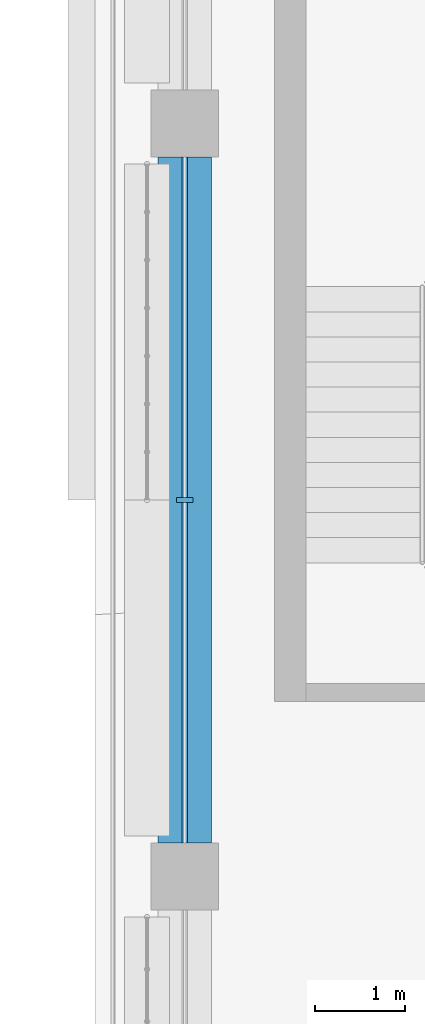
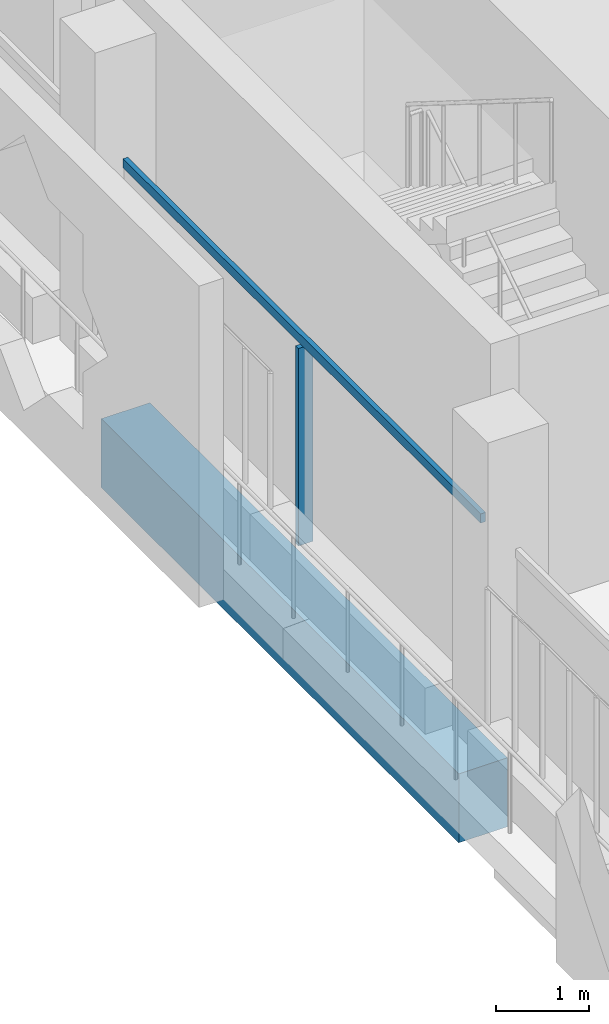
# One storey, part 4 of 21: 2 members, 1 beam, 1 element without a shape of its own.
"""IFC4 building model written with IfcOpenShell, lengths in metres."""

import ifcopenshell
import ifcopenshell.guid

model = None  # the IFC model being written
_history = None  # IfcOwnerHistory: only IFC2X3 demands one
_inside = {}  # id of a spatial element -> (the spatial element, [elements in it])
_under = {}  # id of a project, library or spatial element -> (it, [spatial elements below it])
_declared = {}  # id of a project -> (the project, [libraries it declares])
_typed = {}  # id of a type object -> (the type object, [elements of that type])
_made_of = {}  # id of a material, layer set ... -> (it, [elements and type objects made of it])


def new_model(schema):
    """Start an empty IFC model of exactly this schema.

    Asked for "IFC4X3", IfcOpenShell would pick the latest addendum, in which some entities
    have other attributes; the version numbers below select the first issue.
    IFC2X3 requires an IfcOwnerHistory on every rooted entity: one is made here for all.
    """
    global model, _history
    if schema == "IFC4X3":
        model = ifcopenshell.file(schema_version=(4, 3, 0, 0))
    else:
        model = ifcopenshell.file(schema=schema)
    _inside.clear()
    _under.clear()
    _declared.clear()
    _typed.clear()
    _made_of.clear()
    _history = None
    if model.schema == "IFC2X3":
        org = make("IfcOrganization", Name="unknown")
        user = make(
            "IfcPersonAndOrganization",
            ThePerson=make("IfcPerson", FamilyName="unknown"),
            TheOrganization=org,
        )
        app = make(
            "IfcApplication",
            ApplicationDeveloper=org,
            Version="unknown",
            ApplicationFullName="unknown",
            ApplicationIdentifier="unknown",
        )
        _history = make(
            "IfcOwnerHistory",
            OwningUser=user,
            OwningApplication=app,
            ChangeAction="ADDED",
            CreationDate=0,
        )
    return model


def make(cls, **values):
    """One entity of the class cls with the attributes given. An attribute that is None is left unset."""
    return model.create_entity(
        cls, **{name: value for name, value in values.items() if value is not None}
    )


def rooted(cls, **values):
    """An entity with a GlobalId (a new one), such as an element, a storey or a relation."""
    return make(cls, GlobalId=ifcopenshell.guid.new(), OwnerHistory=_history, **values)


def si_unit(unit_type, name, prefix=None):
    """IfcSIUnit, for example si_unit("LENGTHUNIT", "METRE", prefix="MILLI")."""
    return make("IfcSIUnit", UnitType=unit_type, Prefix=prefix, Name=name)


def assignment(units):
    """IfcUnitAssignment: the units of a project."""
    return None if units is None else make("IfcUnitAssignment", Units=units)


def point(xyz):
    """IfcCartesianPoint."""
    return None if xyz is None else make("IfcCartesianPoint", Coordinates=xyz)


def direction(xyz):
    """IfcDirection."""
    return None if xyz is None else make("IfcDirection", DirectionRatios=xyz)


def frame(location, z_axis=None, x_axis=None):
    """IfcAxis2Placement3D, a coordinate frame: its origin and axes. An axis left out is left unset."""
    return make(
        "IfcAxis2Placement3D",
        Location=point(location),
        Axis=direction(z_axis),
        RefDirection=direction(x_axis),
    )


def frame_2d(location, x_axis=None):
    """IfcAxis2Placement2D, a coordinate frame in the plane: its origin and x axis."""
    return make(
        "IfcAxis2Placement2D", Location=point(location), RefDirection=direction(x_axis)
    )


def origin():
    """The frame at (0, 0, 0) with its axes left unset."""
    return frame((0.0, 0.0, 0.0))


def origin_2d():
    """The frame at (0, 0) in the plane with its x axis left unset."""
    return frame_2d((0.0, 0.0))


def place(relative_to, where):
    """IfcLocalPlacement: puts the frame where relative to a parent placement (None: the world)."""
    return make(
        "IfcLocalPlacement", PlacementRelTo=relative_to, RelativePlacement=where
    )


def context(
    kind, dimensions, precision=None, world=None, true_north=None, identifier=None
):
    """IfcGeometricRepresentationContext, for example the 3D "Model" context."""
    return make(
        "IfcGeometricRepresentationContext",
        ContextIdentifier=identifier,
        ContextType=kind,
        CoordinateSpaceDimension=dimensions,
        Precision=precision,
        WorldCoordinateSystem=world,
        TrueNorth=true_north,
    )


def subcontext(parent, identifier, kind, view, scale=None):
    """IfcGeometricRepresentationSubContext, for example "Body" below "Model"."""
    return make(
        "IfcGeometricRepresentationSubContext",
        ContextIdentifier=identifier,
        ContextType=kind,
        ParentContext=parent,
        TargetScale=scale,
        TargetView=view,
    )


def project(units=None, contexts=None):
    """IfcProject with its units and contexts."""
    return rooted(
        "IfcProject",
        Name="project",
        RepresentationContexts=contexts,
        UnitsInContext=assignment(units),
    )


def spatial(cls, under=None, at=None, **own):
    """A site, building, storey or space (cls), placed at a placement, below another one or the project."""
    s = rooted(cls, ObjectPlacement=at, **own)
    if under is not None:
        _under.setdefault(under.id(), (under, []))[1].append(s)
    return s


def profile(cls, at=None, kind="AREA", **sizes):
    """A parametric profile (cls). Its sizes go by their IFC names, for example OverallWidth=200.0."""
    return make(cls, ProfileType=kind, Position=at, **sizes)


def rectangle(**sizes):
    """IfcRectangleProfileDef."""
    return profile("IfcRectangleProfileDef", **sizes)


def extrude(swept, where, along, depth):
    """IfcExtrudedAreaSolid: the profile swept, set in the frame where, extruded along a direction by depth."""
    return make(
        "IfcExtrudedAreaSolid",
        SweptArea=swept,
        Position=where,
        ExtrudedDirection=direction(along),
        Depth=depth,
    )


def shape(context_of_items, identifier, shape_type, items):
    """IfcShapeRepresentation: the items that make up one representation, for example the "Body"."""
    return make(
        "IfcShapeRepresentation",
        ContextOfItems=context_of_items,
        RepresentationIdentifier=identifier,
        RepresentationType=shape_type,
        Items=items,
    )


def material(Name=None, Category=None):
    """IfcMaterial."""
    return make("IfcMaterial", Name=Name, Category=Category)


def layer(
    of_material, thickness, ventilated=None, Name=None, Category=None, Priority=None
):
    """IfcMaterialLayer: one layer of a wall or slab, of a material (None: an air gap)."""
    return make(
        "IfcMaterialLayer",
        Material=of_material,
        LayerThickness=thickness,
        IsVentilated=ventilated,
        Name=Name,
        Category=Category,
        Priority=Priority,
    )


def layer_set(layers, Name=None):
    """IfcMaterialLayerSet."""
    return make("IfcMaterialLayerSet", MaterialLayers=layers, LayerSetName=Name)


def material_profile(
    of_material, cross_section, Name=None, Category=None, Priority=None
):
    """IfcMaterialProfile: a cross section and its material."""
    return make(
        "IfcMaterialProfile",
        Name=Name,
        Material=of_material,
        Profile=cross_section,
        Priority=Priority,
        Category=Category,
    )


def profile_set(profiles, Name=None, composite=None):
    """IfcMaterialProfileSet."""
    return make(
        "IfcMaterialProfileSet",
        Name=Name,
        MaterialProfiles=profiles,
        CompositeProfile=composite,
    )


def made_of(thing, what):
    """Note that an element or type object is made of a material, layer set ...; save() writes the relation."""
    if what is not None:
        _made_of.setdefault(what.id(), (what, []))[1].append(thing)
    return thing


def type_object(cls, material=None, **own):
    """A type object (cls), such as IfcWallType, which elements share."""
    return made_of(rooted(cls, **own), material)


def element(
    cls,
    number,
    at=None,
    inside=None,
    cuts=None,
    type_object=None,
    material=None,
    context=None,
    identifier="Body",
    shape_type=None,
    held_by="IfcProductDefinitionShape",
    body=None,
    shapes=None,
    **own,
):
    """One element of the class cls, such as IfcWall. Its Tag is "e" and its number.

    at: its placement. inside: the storey or other place that contains it. cuts: it is an
    opening in that element (IfcRelVoidsElement). A single representation is given by context,
    identifier, shape_type and body (its items); several are given by shapes. held_by: the class
    of the entity that holds the representations. save() writes the other relations.
    """
    e = rooted(cls, Tag="e%d" % number, ObjectPlacement=at, **own)
    if body is not None:
        shapes = [shape(context, identifier, shape_type, body)]
    if shapes is not None:
        e.Representation = make(held_by, Representations=shapes)
    if inside is not None:
        _inside.setdefault(inside.id(), (inside, []))[1].append(e)
    if cuts is not None:
        rooted(
            "IfcRelVoidsElement", RelatingBuildingElement=cuts, RelatedOpeningElement=e
        )
    if type_object is not None:
        _typed.setdefault(type_object.id(), (type_object, []))[1].append(e)
    return made_of(e, material)


def aggregate(whole, parts):
    """IfcRelAggregates: a whole, such as a stair, and the parts it consists of."""
    return rooted("IfcRelAggregates", RelatingObject=whole, RelatedObjects=parts)


def save(model, path):
    """Write the relations noted so far, then the file.

    IfcRelAggregates (storeys below a building ...), IfcRelContainedInSpatialStructure (elements
    in a storey), IfcRelDefinesByType, IfcRelAssociatesMaterial and IfcRelDeclares: one each for
    every whole, place, type object, material and project.
    """
    for whole, parts in _under.values():
        aggregate(whole, parts)
    for where, things in _inside.values():
        rooted(
            "IfcRelContainedInSpatialStructure",
            RelatedElements=things,
            RelatingStructure=where,
        )
    for kind, things in _typed.values():
        rooted("IfcRelDefinesByType", RelatedObjects=things, RelatingType=kind)
    for what, things in _made_of.values():
        rooted("IfcRelAssociatesMaterial", RelatedObjects=things, RelatingMaterial=what)
    for by, libraries in _declared.values():
        rooted("IfcRelDeclares", RelatingContext=by, RelatedDefinitions=libraries)
    model.write(path)


model = new_model("IFC4")

# Units and contexts
model_context = context("Model", 3, precision=1e-05, world=origin(), true_north=direction((0.0, 1.0)))
body_context = subcontext(model_context, "Body", "Model", "MODEL_VIEW")
ifc_project = project(units=[si_unit("LENGTHUNIT", "METRE"), si_unit("AREAUNIT", "SQUARE_METRE"), si_unit("VOLUMEUNIT", "CUBIC_METRE"), si_unit("PLANEANGLEUNIT", "RADIAN"), si_unit("MASSUNIT", "GRAM", prefix="KILO")], contexts=[model_context])

# Site, building, storey
site_placement = place(None, origin())
site = spatial("IfcSite", under=ifc_project, at=site_placement, CompositionType="ELEMENT")
building_placement = place(site_placement, origin())
building = spatial("IfcBuilding", under=site, at=building_placement, Name="Kawkab Arch Medical Tower", CompositionType="ELEMENT")
storey_placement = place(building_placement, frame((0.0, 0.0, 315.39990234375)))
storey = spatial("IfcBuildingStorey", under=building, at=storey_placement, Name="L73", CompositionType="ELEMENT", Elevation=315.39990234375)

# Curtain wall, members
ifc_material_1 = material(Name="Bronze anodised aluminium curtain wall frame", Category="aluminium")
ifc_layer = layer(ifc_material_1, 0.159912109375)
ifc_layer_set = layer_set([ifc_layer], Name="Bronze anodised aluminium curtain wall frame")
curtain_wall_type = type_object("IfcCurtainWallType", Name="CW1 ward curtain wall", PredefinedType="NOTDEFINED", material=ifc_layer_set)
curtain_wall_placement = place(storey_placement, origin())
curtain_wall = element("IfcCurtainWall", 1, at=curtain_wall_placement, inside=storey, type_object=curtain_wall_type, Name="CW1 Ward curtain wall R02", PredefinedType="NOTDEFINED")
ifc_material_2 = material(Name="Bronze anodised aluminium curtain wall frame", Category="aluminium")
ifc_material_profile_1 = material_profile(ifc_material_2, rectangle(XDim=0.179931640625, YDim=0.06005859375, at=origin_2d()), Name="AL 60x180")
ifc_profile_set_1 = profile_set([ifc_material_profile_1], Name="Bronze anodised aluminium curtain wall frame")
member_type_1 = type_object("IfcMemberType", Name="CW1 mullion 60 x 180", PredefinedType="MULLION", material=ifc_profile_set_1)
member_1_placement = place(storey_placement, frame((0.0, -21.0, 0.0), z_axis=(0.0, 0.0, 1.0), x_axis=(1.0, 0.0, 0.0)))
member_1 = element("IfcMember", 2, at=member_1_placement, type_object=member_type_1, Name="CW1 mullion 2.1", PredefinedType="MULLION", context=body_context, shape_type="SweptSolid", body=[
    extrude(rectangle(XDim=0.179931640625, YDim=0.06005859375, at=origin_2d()), origin(), (0.0, 0.0, 1.0), 2.580078125),
])
ifc_material_3 = material(Name="Bronze anodised aluminium curtain wall frame", Category="aluminium")
ifc_material_profile_2 = material_profile(ifc_material_3, rectangle(XDim=0.06005859375, YDim=0.1201171875, at=origin_2d()), Name="AL 60x120")
ifc_profile_set_2 = profile_set([ifc_material_profile_2], Name="Bronze anodised aluminium curtain wall frame")
member_type_2 = type_object("IfcMemberType", Name="CW1 transom 120 x 60", PredefinedType="USERDEFINED", material=ifc_profile_set_2)
member_2_placement = place(storey_placement, frame((0.0, -17.175048828125, 2.64013671875), z_axis=(0.0, -1.0, 0.0), x_axis=(1.0, 0.0, 0.0)))
member_2 = element("IfcMember", 3, at=member_2_placement, type_object=member_type_2, Name="CW1 transom 2", ObjectType="TRANSOM", PredefinedType="USERDEFINED", context=body_context, shape_type="SweptSolid", body=[
    extrude(rectangle(XDim=0.06005859375, YDim=0.1201171875, at=origin_2d()), origin(), (0.0, 0.0, 1.0), 7.64990234375),
])
aggregate(curtain_wall, [member_2, member_1])

# Beam
ifc_material_4 = material(Name="Concrete C40/50", Category="concrete")
ifc_material_profile_3 = material_profile(ifc_material_4, rectangle(XDim=0.60009765625, YDim=0.89990234375, at=origin_2d()), Name="RC 600x900")
ifc_profile_set_3 = profile_set([ifc_material_profile_3], Name="Concrete C40/50")
beam_type = type_object("IfcBeamType", Name="RC 600x900 beam C40/50", PredefinedType="BEAM", material=ifc_profile_set_3)
beam_placement = place(storey_placement, frame((0.0, -24.824951171875, -1.0498046875), z_axis=(0.0, 1.0, 0.0), x_axis=(-1.0, 0.0, 0.0)))
element("IfcBeam", 4, at=beam_placement, inside=storey, type_object=beam_type, Name="Overhang edge beam L73-04", PredefinedType="BEAM", context=body_context, shape_type="SweptSolid", body=[
    extrude(rectangle(XDim=0.60009765625, YDim=0.89990234375, at=origin_2d()), origin(), (0.0, 0.0, 1.0), 7.64990234375),
])

save(model, "model.ifc")
